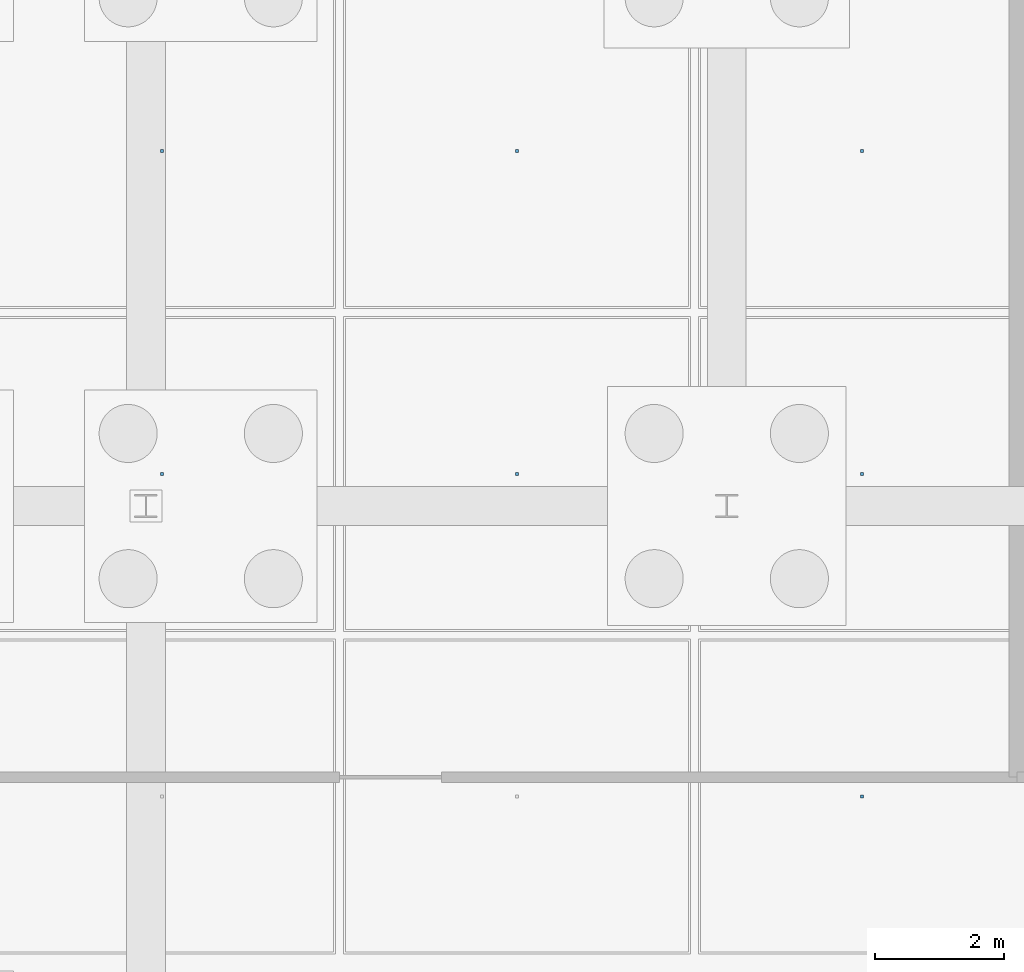
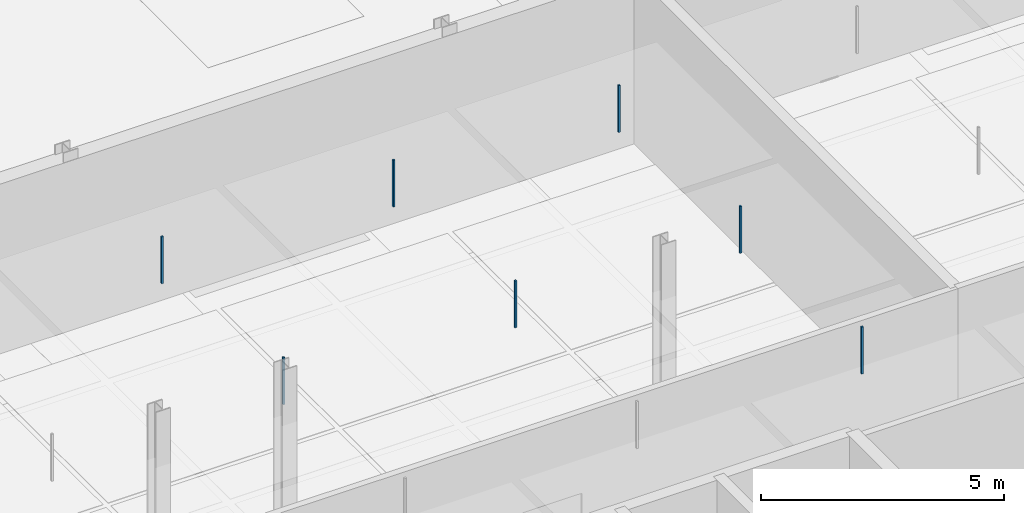
# One storey, part 36 of 48: 7 discrete accessories.
"""IFC4 building model written with IfcOpenShell, lengths in metres."""

from ifc_helpers import new_model, si_unit, direction, frame, origin, origin_2d, place, context, subcontext, project, spatial, rectangle, extrude, material, type_object, element, save


model = new_model("IFC4")

# Units and contexts
model_context = context("Model", 3, precision=1e-05, world=origin(), true_north=direction((0.0, 1.0)))
body_context = subcontext(model_context, "Body", "Model", "MODEL_VIEW")
ifc_project = project(units=[si_unit("LENGTHUNIT", "METRE"), si_unit("AREAUNIT", "SQUARE_METRE"), si_unit("VOLUMEUNIT", "CUBIC_METRE"), si_unit("PLANEANGLEUNIT", "RADIAN"), si_unit("MASSUNIT", "GRAM", prefix="KILO"), si_unit("THERMODYNAMICTEMPERATUREUNIT", "KELVIN"), si_unit("POWERUNIT", "WATT")], contexts=[model_context])

# Site, building, storey
site_placement = place(None, origin())
site = spatial("IfcSite", under=ifc_project, at=site_placement, CompositionType="ELEMENT")
building_placement = place(site_placement, origin())
building = spatial("IfcBuilding", under=site, at=building_placement, Name="Tallowbark Science Centre", CompositionType="ELEMENT")
storey_placement = place(building_placement, frame((0.0, 0.0, -4.5)))
storey = spatial("IfcBuildingStorey", under=building, at=storey_placement, Name="B1", CompositionType="ELEMENT", Elevation=-4.5)

# Discrete accessories
ifc_material = material(Name="Galvanised Steel Grade C350L0 (350 MPa)", Category="steel")
discrete_accessory_type = type_object("IfcDiscreteAccessoryType", Name="ACC-CLG-HNG", PredefinedType="BRACKET", material=ifc_material)
for number, where, z_axis, x_axis, name in (
    (1, (72.25, 90.5, 3.10498046875), (0.0, 0.0, 1.0), (1.0, 0.0, 0.0), "Ceiling Hanger Bracket B1-40"),
    (2, (72.25, 95.5, 3.10498046875), (0.0, 0.0, 1.0), (1.0, 0.0, 0.0), "Ceiling Hanger Bracket B1-41"),
    (3, (77.75, 90.5, 3.10498046875), (0.0, 0.0, 1.0), (1.0, 0.0, 0.0), "Ceiling Hanger Bracket B1-43"),
    (4, (77.75, 95.5, 3.10498046875), (0.0, 0.0, 1.0), (1.0, 0.0, 0.0), "Ceiling Hanger Bracket B1-44"),
    (5, (83.094970703125, 85.5, 3.10498046875), (0.0, 0.0, 1.0), (1.0, 0.0, 0.0), "Ceiling Hanger Bracket B1-45"),
    (6, (83.094970703125, 90.5, 3.10498046875), (0.0, 0.0, 1.0), (1.0, 0.0, 0.0), "Ceiling Hanger Bracket B1-46"),
    (7, (83.094970703125, 95.5, 3.10498046875), (0.0, 0.0, 1.0), (1.0, 0.0, 0.0), "Ceiling Hanger Bracket B1-47"),
):
    element("IfcDiscreteAccessory", number, at=place(storey_placement, frame(where, z_axis=z_axis, x_axis=x_axis)), inside=storey, type_object=discrete_accessory_type, Name=name, PredefinedType="BRACKET", context=body_context, shape_type="SweptSolid", body=[
        extrude(rectangle(XDim=0.044921875, YDim=0.044921875, at=origin_2d()), origin(), (0.0, 0.0, 1.0), 1.177978515625),
    ])

save(model, "model.ifc")
